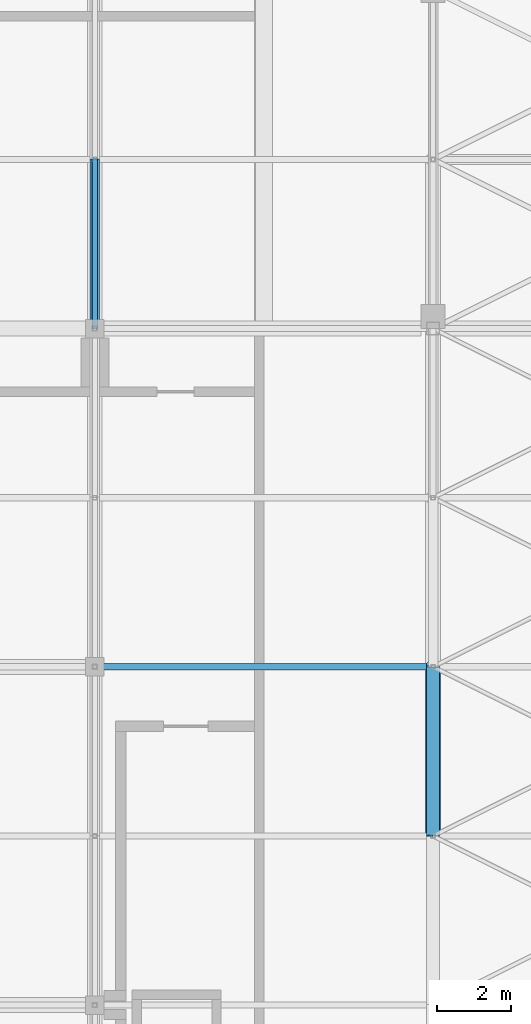
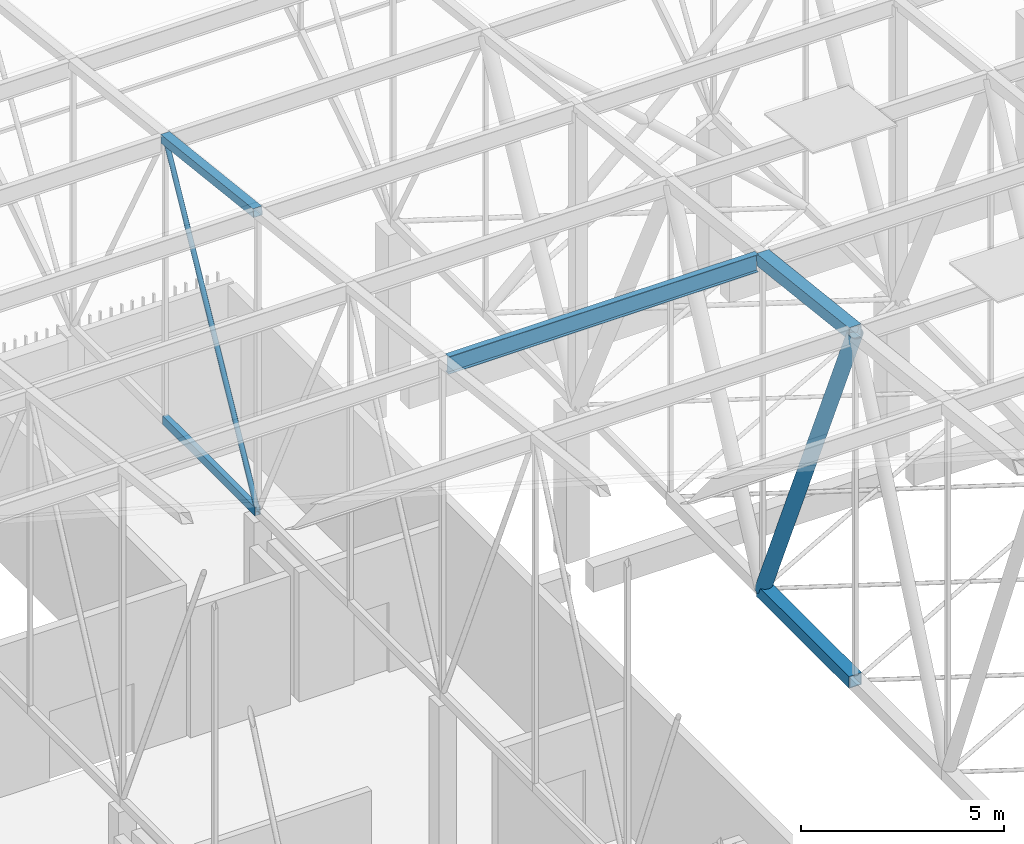
# One storey, part 240 of 500: 7 members.
"""IFC4 building model written with IfcOpenShell, lengths in metres."""

from ifc_helpers import new_model, si_unit, direction, frame, origin, origin_2d, place, context, subcontext, project, spatial, hollow_rectangle, hollow_circle, i_section, extrude, material, material_profile, profile_set, type_object, element, save


model = new_model("IFC4")

# Units and contexts
model_context = context("Model", 3, precision=1e-05, world=origin(), true_north=direction((0.0, 1.0)))
body_context = subcontext(model_context, "Body", "Model", "MODEL_VIEW")
ifc_project = project(units=[si_unit("LENGTHUNIT", "METRE"), si_unit("AREAUNIT", "SQUARE_METRE"), si_unit("VOLUMEUNIT", "CUBIC_METRE"), si_unit("PLANEANGLEUNIT", "RADIAN"), si_unit("MASSUNIT", "GRAM", prefix="KILO")], contexts=[model_context])

# Site, building, storey
site_placement = place(None, origin())
site = spatial("IfcSite", under=ifc_project, at=site_placement, CompositionType="ELEMENT")
building_placement = place(site_placement, origin())
building = spatial("IfcBuilding", under=site, at=building_placement, Name="Shirokan Park Arena", CompositionType="ELEMENT")
storey_placement = place(building_placement, frame((0.0, 0.0, 29.1201171875)))
storey = spatial("IfcBuildingStorey", under=building, at=storey_placement, Name="L06", CompositionType="ELEMENT", Elevation=29.1201171875)

# Members
ifc_material_1 = material(Name="Steel ASTM A500 Grade C", Category="steel")
ifc_material_profile_1 = material_profile(ifc_material_1, hollow_rectangle(XDim=0.152099609375, YDim=0.25390625, WallThickness=0.009521484375, at=origin_2d()), Name="HSS254X152.4X9.5")
ifc_profile_set_1 = profile_set([ifc_material_profile_1], Name="Steel ASTM A500 Grade C")
member_type_1 = type_object("IfcMemberType", Name="Bottom chord HSS254X152.4X9.5", PredefinedType="CHORD", material=ifc_profile_set_1)
member_1_placement = place(storey_placement, frame((36.39990234375, 100.10009765625, 4.677001953125), z_axis=(0.0, 1.0, 0.0), x_axis=(-1.0, 0.0, 0.0)))
element("IfcMember", 1, at=member_1_placement, inside=storey, type_object=member_type_1, Name="Truss T05 bottom chord 25", PredefinedType="CHORD", context=body_context, shape_type="SweptSolid", body=[
    extrude(hollow_rectangle(XDim=0.152099609375, YDim=0.25390625, WallThickness=0.009521484375, at=origin_2d()), origin(), (0.0, 0.0, 1.0), 4.5498046875),
])
ifc_material_profile_2 = material_profile(ifc_material_1, hollow_rectangle(XDim=0.35595703125, YDim=0.35595703125, WallThickness=0.01904296875, at=origin_2d()), Name="HSS355.6X355.6X19.0")
ifc_profile_set_2 = profile_set([ifc_material_profile_2], Name="Steel ASTM A500 Grade C")
member_type_2 = type_object("IfcMemberType", Name="Bottom chord HSS355.6X355.6X19.0", PredefinedType="CHORD", material=ifc_profile_set_2)
member_2_placement = place(storey_placement, frame((45.5, 86.449951171875, 4.677001953125), z_axis=(0.0, 1.0, 0.0), x_axis=(-1.0, 0.0, 0.0)))
element("IfcMember", 2, at=member_2_placement, inside=storey, type_object=member_type_2, Name="Truss T06 bottom chord 22", PredefinedType="CHORD", context=body_context, shape_type="SweptSolid", body=[
    extrude(hollow_rectangle(XDim=0.35595703125, YDim=0.35595703125, WallThickness=0.01904296875, at=origin_2d()), origin(), (0.0, 0.0, 1.0), 4.550048828125),
])
ifc_material_2 = material(Name="Steel ASTM A992", Category="steel")
ifc_material_profile_3 = material_profile(ifc_material_2, i_section(OverallWidth=0.166015625, OverallDepth=0.528076171875, WebThickness=0.009765625, FlangeThickness=0.013671875, at=origin_2d()), Name="W530X74")
ifc_profile_set_3 = profile_set([ifc_material_profile_3], Name="Steel ASTM A992")
member_type_3 = type_object("IfcMemberType", Name="Purlin W530X74", PredefinedType="PURLIN", material=ifc_profile_set_3)
member_3_placement = place(storey_placement, frame((36.527099609375, 91.0, 14.56591796875), z_axis=(1.0, 0.0, 0.0), x_axis=(0.0, 1.0, 0.0)))
element("IfcMember", 3, at=member_3_placement, inside=storey, type_object=member_type_3, Name="Purlin 23 bay 5", PredefinedType="PURLIN", context=body_context, shape_type="SweptSolid", body=[
    extrude(i_section(OverallWidth=0.166015625, OverallDepth=0.528076171875, WebThickness=0.009765625, FlangeThickness=0.013671875, at=origin_2d()), origin(), (0.0, 0.0, 1.0), 8.794921875),
])
ifc_material_profile_4 = material_profile(ifc_material_1, hollow_rectangle(XDim=0.25390625, YDim=0.25390625, WallThickness=0.009521484375, at=origin_2d()), Name="HSS254X254X9.5")
ifc_profile_set_4 = profile_set([ifc_material_profile_4], Name="Steel ASTM A500 Grade C")
member_type_4 = type_object("IfcMemberType", Name="Top chord HSS254X254X9.5", PredefinedType="CHORD", material=ifc_profile_set_4)
member_4_placement = place(storey_placement, frame((36.39990234375, 100.10009765625, 13.662841796875), z_axis=(0.0, 0.993531641592, -0.11355561261), x_axis=(-1.0, 0.0, 0.0)))
element("IfcMember", 4, at=member_4_placement, inside=storey, type_object=member_type_4, Name="Truss T05 top chord 25", PredefinedType="CHORD", context=body_context, shape_type="SweptSolid", body=[
    extrude(hollow_rectangle(XDim=0.25390625, YDim=0.25390625, WallThickness=0.009521484375, at=origin_2d()), origin(), (0.0, 0.0, 1.0), 4.579345703125),
])
ifc_material_profile_5 = material_profile(ifc_material_1, hollow_rectangle(XDim=0.35595703125, YDim=0.35595703125, WallThickness=0.01904296875, at=origin_2d()), Name="HSS355.6X355.6X19.0")
ifc_profile_set_5 = profile_set([ifc_material_profile_5], Name="Steel ASTM A500 Grade C")
member_type_5 = type_object("IfcMemberType", Name="Top chord HSS355.6X355.6X19.0", PredefinedType="CHORD", material=ifc_profile_set_5)
member_5_placement = place(storey_placement, frame((45.5, 86.449951171875, 15.141357421875), z_axis=(0.0, 0.993532328996, -0.113549598152), x_axis=(-1.0, 0.0, 0.0)))
element("IfcMember", 5, at=member_5_placement, inside=storey, type_object=member_type_5, Name="Truss T06 top chord 22", PredefinedType="CHORD", context=body_context, shape_type="SweptSolid", body=[
    extrude(hollow_rectangle(XDim=0.35595703125, YDim=0.35595703125, WallThickness=0.01904296875, at=origin_2d()), origin(), (0.0, 0.0, 1.0), 4.57958984375),
])
ifc_material_profile_6 = material_profile(ifc_material_1, hollow_circle(Radius=0.070556640625, WallThickness=0.006591796875, at=origin_2d()), Name="HSS141.3X6.6")
ifc_profile_set_6 = profile_set([ifc_material_profile_6], Name="Steel ASTM A500 Grade C")
member_type_6 = type_object("IfcMemberType", Name="Truss diagonal HSS141.3X6.6", PredefinedType="BRACE", material=ifc_profile_set_6)
member_6_placement = place(storey_placement, frame((36.39990234375, 100.10009765625, 4.677001953125), z_axis=(0.0, 0.47339679801, 0.880849289966), x_axis=(-1.0, 0.0, 0.0)))
element("IfcMember", 6, at=member_6_placement, inside=storey, type_object=member_type_6, Name="Truss T05 diagonal 25", PredefinedType="BRACE", context=body_context, shape_type="SweptSolid", body=[
    extrude(hollow_circle(Radius=0.070556640625, WallThickness=0.006591796875, at=origin_2d()), origin(), (0.0, 0.0, 1.0), 9.611083984375),
])
ifc_material_profile_7 = material_profile(ifc_material_1, hollow_circle(Radius=0.202880859375, WallThickness=0.015869140625, at=origin_2d()), Name="HSS406.4X15.9")
ifc_profile_set_7 = profile_set([ifc_material_profile_7], Name="Steel ASTM A500 Grade C")
member_type_7 = type_object("IfcMemberType", Name="Truss diagonal HSS406.4X15.9", PredefinedType="BRACE", material=ifc_profile_set_7)
member_7_placement = place(storey_placement, frame((45.5, 86.449951171875, 15.141357421875), z_axis=(0.0, 0.398750364192, -0.917059511186), x_axis=(-1.0, 0.0, 0.0)))
element("IfcMember", 7, at=member_7_placement, inside=storey, type_object=member_type_7, Name="Truss T06 diagonal 22", PredefinedType="BRACE", context=body_context, shape_type="SweptSolid", body=[
    extrude(hollow_circle(Radius=0.202880859375, WallThickness=0.015869140625, at=origin_2d()), origin(), (0.0, 0.0, 1.0), 11.410888671875),
])

save(model, "model.ifc")
